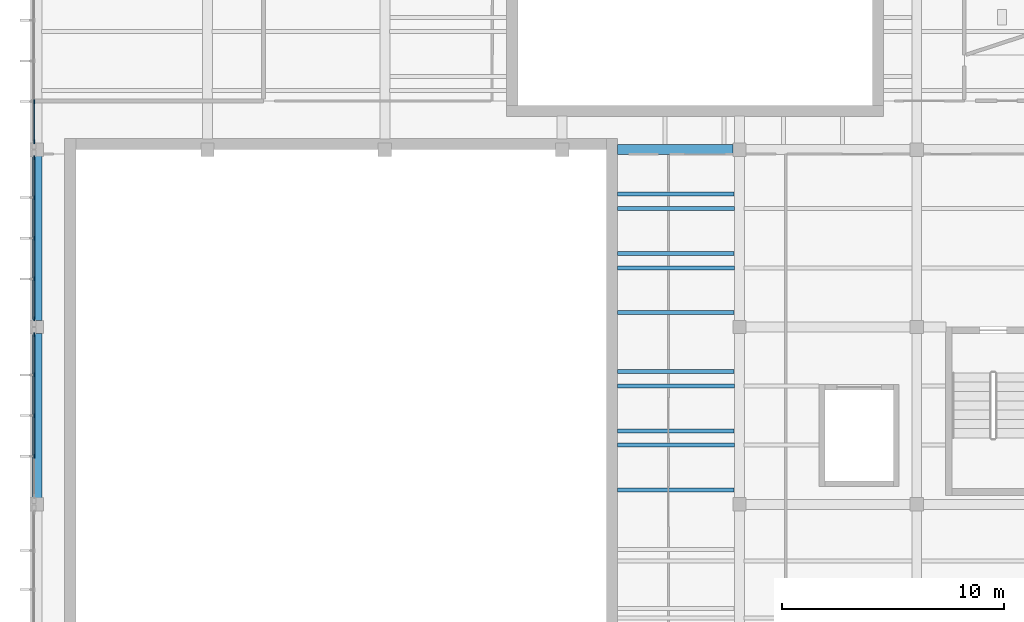
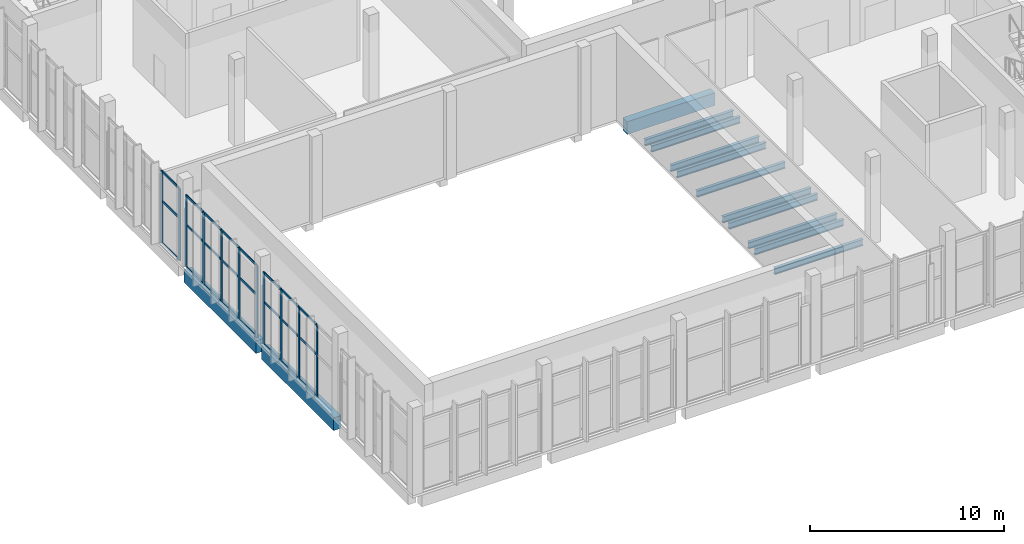
# One storey, part 12 of 87: 35 members, 13 beams, 3 elements without a shape of their own.
"""IFC4 building model written with IfcOpenShell, lengths in metres."""

import ifcopenshell
import ifcopenshell.guid

model = None  # the IFC model being written
_history = None  # IfcOwnerHistory: only IFC2X3 demands one
_inside = {}  # id of a spatial element -> (the spatial element, [elements in it])
_under = {}  # id of a project, library or spatial element -> (it, [spatial elements below it])
_declared = {}  # id of a project -> (the project, [libraries it declares])
_typed = {}  # id of a type object -> (the type object, [elements of that type])
_made_of = {}  # id of a material, layer set ... -> (it, [elements and type objects made of it])


def new_model(schema):
    """Start an empty IFC model of exactly this schema.

    Asked for "IFC4X3", IfcOpenShell would pick the latest addendum, in which some entities
    have other attributes; the version numbers below select the first issue.
    IFC2X3 requires an IfcOwnerHistory on every rooted entity: one is made here for all.
    """
    global model, _history
    if schema == "IFC4X3":
        model = ifcopenshell.file(schema_version=(4, 3, 0, 0))
    else:
        model = ifcopenshell.file(schema=schema)
    _inside.clear()
    _under.clear()
    _declared.clear()
    _typed.clear()
    _made_of.clear()
    _history = None
    if model.schema == "IFC2X3":
        org = make("IfcOrganization", Name="unknown")
        user = make(
            "IfcPersonAndOrganization",
            ThePerson=make("IfcPerson", FamilyName="unknown"),
            TheOrganization=org,
        )
        app = make(
            "IfcApplication",
            ApplicationDeveloper=org,
            Version="unknown",
            ApplicationFullName="unknown",
            ApplicationIdentifier="unknown",
        )
        _history = make(
            "IfcOwnerHistory",
            OwningUser=user,
            OwningApplication=app,
            ChangeAction="ADDED",
            CreationDate=0,
        )
    return model


def make(cls, **values):
    """One entity of the class cls with the attributes given. An attribute that is None is left unset."""
    return model.create_entity(
        cls, **{name: value for name, value in values.items() if value is not None}
    )


def rooted(cls, **values):
    """An entity with a GlobalId (a new one), such as an element, a storey or a relation."""
    return make(cls, GlobalId=ifcopenshell.guid.new(), OwnerHistory=_history, **values)


def si_unit(unit_type, name, prefix=None):
    """IfcSIUnit, for example si_unit("LENGTHUNIT", "METRE", prefix="MILLI")."""
    return make("IfcSIUnit", UnitType=unit_type, Prefix=prefix, Name=name)


def assignment(units):
    """IfcUnitAssignment: the units of a project."""
    return None if units is None else make("IfcUnitAssignment", Units=units)


def point(xyz):
    """IfcCartesianPoint."""
    return None if xyz is None else make("IfcCartesianPoint", Coordinates=xyz)


def direction(xyz):
    """IfcDirection."""
    return None if xyz is None else make("IfcDirection", DirectionRatios=xyz)


def frame(location, z_axis=None, x_axis=None):
    """IfcAxis2Placement3D, a coordinate frame: its origin and axes. An axis left out is left unset."""
    return make(
        "IfcAxis2Placement3D",
        Location=point(location),
        Axis=direction(z_axis),
        RefDirection=direction(x_axis),
    )


def frame_2d(location, x_axis=None):
    """IfcAxis2Placement2D, a coordinate frame in the plane: its origin and x axis."""
    return make(
        "IfcAxis2Placement2D", Location=point(location), RefDirection=direction(x_axis)
    )


def origin():
    """The frame at (0, 0, 0) with its axes left unset."""
    return frame((0.0, 0.0, 0.0))


def origin_2d():
    """The frame at (0, 0) in the plane with its x axis left unset."""
    return frame_2d((0.0, 0.0))


def place(relative_to, where):
    """IfcLocalPlacement: puts the frame where relative to a parent placement (None: the world)."""
    return make(
        "IfcLocalPlacement", PlacementRelTo=relative_to, RelativePlacement=where
    )


def context(
    kind, dimensions, precision=None, world=None, true_north=None, identifier=None
):
    """IfcGeometricRepresentationContext, for example the 3D "Model" context."""
    return make(
        "IfcGeometricRepresentationContext",
        ContextIdentifier=identifier,
        ContextType=kind,
        CoordinateSpaceDimension=dimensions,
        Precision=precision,
        WorldCoordinateSystem=world,
        TrueNorth=true_north,
    )


def subcontext(parent, identifier, kind, view, scale=None):
    """IfcGeometricRepresentationSubContext, for example "Body" below "Model"."""
    return make(
        "IfcGeometricRepresentationSubContext",
        ContextIdentifier=identifier,
        ContextType=kind,
        ParentContext=parent,
        TargetScale=scale,
        TargetView=view,
    )


def project(units=None, contexts=None):
    """IfcProject with its units and contexts."""
    return rooted(
        "IfcProject",
        Name="project",
        RepresentationContexts=contexts,
        UnitsInContext=assignment(units),
    )


def spatial(cls, under=None, at=None, **own):
    """A site, building, storey or space (cls), placed at a placement, below another one or the project."""
    s = rooted(cls, ObjectPlacement=at, **own)
    if under is not None:
        _under.setdefault(under.id(), (under, []))[1].append(s)
    return s


def profile(cls, at=None, kind="AREA", **sizes):
    """A parametric profile (cls). Its sizes go by their IFC names, for example OverallWidth=200.0."""
    return make(cls, ProfileType=kind, Position=at, **sizes)


def rectangle(**sizes):
    """IfcRectangleProfileDef."""
    return profile("IfcRectangleProfileDef", **sizes)


def i_section(**sizes):
    """IfcIShapeProfileDef."""
    return profile("IfcIShapeProfileDef", **sizes)


def extrude(swept, where, along, depth):
    """IfcExtrudedAreaSolid: the profile swept, set in the frame where, extruded along a direction by depth."""
    return make(
        "IfcExtrudedAreaSolid",
        SweptArea=swept,
        Position=where,
        ExtrudedDirection=direction(along),
        Depth=depth,
    )


def shape(context_of_items, identifier, shape_type, items):
    """IfcShapeRepresentation: the items that make up one representation, for example the "Body"."""
    return make(
        "IfcShapeRepresentation",
        ContextOfItems=context_of_items,
        RepresentationIdentifier=identifier,
        RepresentationType=shape_type,
        Items=items,
    )


def material(Name=None, Category=None):
    """IfcMaterial."""
    return make("IfcMaterial", Name=Name, Category=Category)


def layer(
    of_material, thickness, ventilated=None, Name=None, Category=None, Priority=None
):
    """IfcMaterialLayer: one layer of a wall or slab, of a material (None: an air gap)."""
    return make(
        "IfcMaterialLayer",
        Material=of_material,
        LayerThickness=thickness,
        IsVentilated=ventilated,
        Name=Name,
        Category=Category,
        Priority=Priority,
    )


def layer_set(layers, Name=None):
    """IfcMaterialLayerSet."""
    return make("IfcMaterialLayerSet", MaterialLayers=layers, LayerSetName=Name)


def material_profile(
    of_material, cross_section, Name=None, Category=None, Priority=None
):
    """IfcMaterialProfile: a cross section and its material."""
    return make(
        "IfcMaterialProfile",
        Name=Name,
        Material=of_material,
        Profile=cross_section,
        Priority=Priority,
        Category=Category,
    )


def profile_set(profiles, Name=None, composite=None):
    """IfcMaterialProfileSet."""
    return make(
        "IfcMaterialProfileSet",
        Name=Name,
        MaterialProfiles=profiles,
        CompositeProfile=composite,
    )


def made_of(thing, what):
    """Note that an element or type object is made of a material, layer set ...; save() writes the relation."""
    if what is not None:
        _made_of.setdefault(what.id(), (what, []))[1].append(thing)
    return thing


def type_object(cls, material=None, **own):
    """A type object (cls), such as IfcWallType, which elements share."""
    return made_of(rooted(cls, **own), material)


def element(
    cls,
    number,
    at=None,
    inside=None,
    cuts=None,
    type_object=None,
    material=None,
    context=None,
    identifier="Body",
    shape_type=None,
    held_by="IfcProductDefinitionShape",
    body=None,
    shapes=None,
    **own,
):
    """One element of the class cls, such as IfcWall. Its Tag is "e" and its number.

    at: its placement. inside: the storey or other place that contains it. cuts: it is an
    opening in that element (IfcRelVoidsElement). A single representation is given by context,
    identifier, shape_type and body (its items); several are given by shapes. held_by: the class
    of the entity that holds the representations. save() writes the other relations.
    """
    e = rooted(cls, Tag="e%d" % number, ObjectPlacement=at, **own)
    if body is not None:
        shapes = [shape(context, identifier, shape_type, body)]
    if shapes is not None:
        e.Representation = make(held_by, Representations=shapes)
    if inside is not None:
        _inside.setdefault(inside.id(), (inside, []))[1].append(e)
    if cuts is not None:
        rooted(
            "IfcRelVoidsElement", RelatingBuildingElement=cuts, RelatedOpeningElement=e
        )
    if type_object is not None:
        _typed.setdefault(type_object.id(), (type_object, []))[1].append(e)
    return made_of(e, material)


def aggregate(whole, parts):
    """IfcRelAggregates: a whole, such as a stair, and the parts it consists of."""
    return rooted("IfcRelAggregates", RelatingObject=whole, RelatedObjects=parts)


def save(model, path):
    """Write the relations noted so far, then the file.

    IfcRelAggregates (storeys below a building ...), IfcRelContainedInSpatialStructure (elements
    in a storey), IfcRelDefinesByType, IfcRelAssociatesMaterial and IfcRelDeclares: one each for
    every whole, place, type object, material and project.
    """
    for whole, parts in _under.values():
        aggregate(whole, parts)
    for where, things in _inside.values():
        rooted(
            "IfcRelContainedInSpatialStructure",
            RelatedElements=things,
            RelatingStructure=where,
        )
    for kind, things in _typed.values():
        rooted("IfcRelDefinesByType", RelatedObjects=things, RelatingType=kind)
    for what, things in _made_of.values():
        rooted("IfcRelAssociatesMaterial", RelatedObjects=things, RelatingMaterial=what)
    for by, libraries in _declared.values():
        rooted("IfcRelDeclares", RelatingContext=by, RelatedDefinitions=libraries)
    model.write(path)


model = new_model("IFC4")

# Units and contexts
model_context = context("Model", 3, precision=1e-05, world=origin(), true_north=direction((0.0, 1.0)))
body_context = subcontext(model_context, "Body", "Model", "MODEL_VIEW")
ifc_project = project(units=[si_unit("LENGTHUNIT", "METRE"), si_unit("AREAUNIT", "SQUARE_METRE"), si_unit("VOLUMEUNIT", "CUBIC_METRE"), si_unit("PLANEANGLEUNIT", "RADIAN"), si_unit("MASSUNIT", "GRAM", prefix="KILO")], contexts=[model_context])

# Site, building, storey
site_placement = place(None, origin())
site = spatial("IfcSite", under=ifc_project, at=site_placement, CompositionType="ELEMENT")
building_placement = place(site_placement, origin())
building = spatial("IfcBuilding", under=site, at=building_placement, Name="Lunette Opera House", CompositionType="ELEMENT")
storey_placement = place(building_placement, frame((0.0, 0.0, 11.5)))
storey = spatial("IfcBuildingStorey", under=building, at=storey_placement, Name="L02", CompositionType="ELEMENT", Elevation=11.5)

# Curtain wall, members
ifc_material_1 = material(Name="Aluminium", Category="aluminium")
ifc_layer = layer(ifc_material_1, 0.179931640625)
ifc_layer_set = layer_set([ifc_layer], Name="Aluminium")
curtain_wall_type = type_object("IfcCurtainWallType", Name="SUN FACE CURTAIN WALL", PredefinedType="NOTDEFINED", material=ifc_layer_set)
curtain_wall_1_placement = place(storey_placement, origin())
curtain_wall_1 = element("IfcCurtainWall", 1, at=curtain_wall_1_placement, inside=storey, type_object=curtain_wall_type, Name="Sun Face Curtain Wall F15 L02", PredefinedType="NOTDEFINED")
ifc_material_2 = material(Name="Aluminium", Category="aluminium")
ifc_material_profile_1 = material_profile(ifc_material_2, rectangle(XDim=0.06005859375, YDim=0.179931640625, at=origin_2d()), Name="MULLION 60 X 180")
ifc_profile_set_1 = profile_set([ifc_material_profile_1], Name="Aluminium")
member_type_1 = type_object("IfcMemberType", Name="MULLION 60 X 180", PredefinedType="MULLION", material=ifc_profile_set_1)
member_1_placement = place(storey_placement, frame((8.181884765625, 90.1650390625, 0.0), z_axis=(0.0, 0.0, 1.0), x_axis=(1.0, 0.0, 0.0)))
member_1 = element("IfcMember", 2, at=member_1_placement, type_object=member_type_1, Name="RW-X2031 mullion 4", PredefinedType="MULLION", context=body_context, shape_type="SweptSolid", body=[
    extrude(rectangle(XDim=0.06005859375, YDim=0.179931640625, at=origin_2d()), origin(), (0.0, 0.0, 1.0), 4.550048828125),
])
member_2_placement = place(storey_placement, frame((8.181884765625, 88.360107421875, 0.0), z_axis=(0.0, 0.0, 1.0), x_axis=(1.0, 0.0, 0.0)))
member_2 = element("IfcMember", 3, at=member_2_placement, type_object=member_type_1, Name="RW-X2031 mullion 5", PredefinedType="MULLION", context=body_context, shape_type="SweptSolid", body=[
    extrude(rectangle(XDim=0.06005859375, YDim=0.179931640625, at=origin_2d()), origin(), (0.0, 0.0, 1.0), 4.550048828125),
])

curtain_wall_2_placement = place(storey_placement, origin())
curtain_wall_2 = element("IfcCurtainWall", 4, at=curtain_wall_2_placement, inside=storey, type_object=curtain_wall_type, Name="Sun Face Curtain Wall F16 L02", PredefinedType="NOTDEFINED")
member_3_placement = place(storey_placement, frame((8.181884765625, 87.639892578125, 0.0), z_axis=(0.0, 0.0, 1.0), x_axis=(1.0, 0.0, 0.0)))
member_3 = element("IfcMember", 5, at=member_3_placement, type_object=member_type_1, Name="RW-X2032 mullion 1", PredefinedType="MULLION", context=body_context, shape_type="SweptSolid", body=[
    extrude(rectangle(XDim=0.06005859375, YDim=0.179931640625, at=origin_2d()), origin(), (0.0, 0.0, 1.0), 4.550048828125),
])
member_4_placement = place(storey_placement, frame((8.181884765625, 85.8349609375, 0.0), z_axis=(0.0, 0.0, 1.0), x_axis=(1.0, 0.0, 0.0)))
member_4 = element("IfcMember", 6, at=member_4_placement, type_object=member_type_1, Name="RW-X2032 mullion 2", PredefinedType="MULLION", context=body_context, shape_type="SweptSolid", body=[
    extrude(rectangle(XDim=0.06005859375, YDim=0.179931640625, at=origin_2d()), origin(), (0.0, 0.0, 1.0), 4.550048828125),
])
member_5_placement = place(storey_placement, frame((8.181884765625, 84.0, 0.0), z_axis=(0.0, 0.0, 1.0), x_axis=(1.0, 0.0, 0.0)))
member_5 = element("IfcMember", 7, at=member_5_placement, type_object=member_type_1, Name="RW-X2032 mullion 3", PredefinedType="MULLION", context=body_context, shape_type="SweptSolid", body=[
    extrude(rectangle(XDim=0.06005859375, YDim=0.179931640625, at=origin_2d()), origin(), (0.0, 0.0, 1.0), 4.550048828125),
])
member_6_placement = place(storey_placement, frame((8.181884765625, 82.1650390625, 0.0), z_axis=(0.0, 0.0, 1.0), x_axis=(1.0, 0.0, 0.0)))
member_6 = element("IfcMember", 8, at=member_6_placement, type_object=member_type_1, Name="RW-X2032 mullion 4", PredefinedType="MULLION", context=body_context, shape_type="SweptSolid", body=[
    extrude(rectangle(XDim=0.06005859375, YDim=0.179931640625, at=origin_2d()), origin(), (0.0, 0.0, 1.0), 4.550048828125),
])
member_7_placement = place(storey_placement, frame((8.181884765625, 80.360107421875, 0.0), z_axis=(0.0, 0.0, 1.0), x_axis=(1.0, 0.0, 0.0)))
member_7 = element("IfcMember", 9, at=member_7_placement, type_object=member_type_1, Name="RW-X2032 mullion 5", PredefinedType="MULLION", context=body_context, shape_type="SweptSolid", body=[
    extrude(rectangle(XDim=0.06005859375, YDim=0.179931640625, at=origin_2d()), origin(), (0.0, 0.0, 1.0), 4.550048828125),
])

curtain_wall_3_placement = place(storey_placement, origin())
curtain_wall_3 = element("IfcCurtainWall", 10, at=curtain_wall_3_placement, inside=storey, type_object=curtain_wall_type, Name="Sun Face Curtain Wall F17 L02", PredefinedType="NOTDEFINED")
member_8_placement = place(storey_placement, frame((8.181884765625, 79.639892578125, 0.0), z_axis=(0.0, 0.0, 1.0), x_axis=(1.0, 0.0, 0.0)))
member_8 = element("IfcMember", 11, at=member_8_placement, type_object=member_type_1, Name="RW-X2033 mullion 1", PredefinedType="MULLION", context=body_context, shape_type="SweptSolid", body=[
    extrude(rectangle(XDim=0.06005859375, YDim=0.179931640625, at=origin_2d()), origin(), (0.0, 0.0, 1.0), 4.550048828125),
])
member_9_placement = place(storey_placement, frame((8.181884765625, 77.8349609375, 0.0), z_axis=(0.0, 0.0, 1.0), x_axis=(1.0, 0.0, 0.0)))
member_9 = element("IfcMember", 12, at=member_9_placement, type_object=member_type_1, Name="RW-X2033 mullion 2", PredefinedType="MULLION", context=body_context, shape_type="SweptSolid", body=[
    extrude(rectangle(XDim=0.06005859375, YDim=0.179931640625, at=origin_2d()), origin(), (0.0, 0.0, 1.0), 4.550048828125),
])
member_10_placement = place(storey_placement, frame((8.181884765625, 76.0, 0.0), z_axis=(0.0, 0.0, 1.0), x_axis=(1.0, 0.0, 0.0)))
member_10 = element("IfcMember", 13, at=member_10_placement, type_object=member_type_1, Name="RW-X2033 mullion 3", PredefinedType="MULLION", context=body_context, shape_type="SweptSolid", body=[
    extrude(rectangle(XDim=0.06005859375, YDim=0.179931640625, at=origin_2d()), origin(), (0.0, 0.0, 1.0), 4.550048828125),
])
member_11_placement = place(storey_placement, frame((8.181884765625, 74.1650390625, 0.0), z_axis=(0.0, 0.0, 1.0), x_axis=(1.0, 0.0, 0.0)))
member_11 = element("IfcMember", 14, at=member_11_placement, type_object=member_type_1, Name="RW-X2033 mullion 4", PredefinedType="MULLION", context=body_context, shape_type="SweptSolid", body=[
    extrude(rectangle(XDim=0.06005859375, YDim=0.179931640625, at=origin_2d()), origin(), (0.0, 0.0, 1.0), 4.550048828125),
])

# Beams
ifc_material_3 = material(Name="Concrete C35/45", Category="concrete")
ifc_material_profile_2 = material_profile(ifc_material_3, rectangle(XDim=0.449951171875, YDim=0.800048828125, at=origin_2d()), Name="RC BEAM 450X800")
ifc_profile_set_2 = profile_set([ifc_material_profile_2], Name="Concrete C35/45")
beam_type_1 = type_object("IfcBeamType", Name="RC BEAM 450X800", PredefinedType="BEAM", material=ifc_profile_set_2)
for number, where, z_axis, x_axis, name in (
    (15, (8.300048828125, 72.2900390625, -0.550048828125), (0.0, 1.0, 0.0), (-1.0, 0.0, 0.0), "beam-RW-L02-L02-GY01"),
    (16, (8.300048828125, 80.2900390625, -0.550048828125), (0.0, 1.0, 0.0), (-1.0, 0.0, 0.0), "beam-RW-L02-L02-GY02"),
):
    element("IfcBeam", number, at=place(storey_placement, frame(where, z_axis=z_axis, x_axis=x_axis)), inside=storey, type_object=beam_type_1, Name=name, PredefinedType="BEAM", context=body_context, shape_type="SweptSolid", body=[
        extrude(rectangle(XDim=0.449951171875, YDim=0.800048828125, at=origin_2d()), origin(), (0.0, 0.0, 1.0), 7.419921875),
    ])
beam_placement = place(storey_placement, frame((34.489990234375, 88.0, -0.550048828125), z_axis=(1.0, 0.0, 0.0), x_axis=(0.0, 1.0, 0.0)))
element("IfcBeam", 17, at=beam_placement, inside=storey, type_object=beam_type_1, Name="beam-RW-L02-L02-GX33", PredefinedType="BEAM", context=body_context, shape_type="SweptSolid", body=[
    extrude(rectangle(XDim=0.449951171875, YDim=0.800048828125, at=origin_2d()), origin(), (0.0, 0.0, 1.0), 5.219970703125),
])
ifc_material_4 = material(Name="Steel S355", Category="steel")
ifc_material_profile_3 = material_profile(ifc_material_4, i_section(OverallWidth=0.179931640625, OverallDepth=0.39990234375, WebThickness=0.008544921875, FlangeThickness=0.013427734375, FilletRadius=0.02099609375, at=origin_2d()), Name="IPE 400")
ifc_profile_set_3 = profile_set([ifc_material_profile_3], Name="Steel S355")
beam_type_2 = type_object("IfcBeamType", Name="STEEL BEAM IPE 400", PredefinedType="BEAM", material=ifc_profile_set_3)
for number, where, z_axis, x_axis, name in (
    (18, (34.5, 74.6669921875, -0.35009765625), (1.0, 0.0, 0.0), (0.0, 1.0, 0.0), "beam-RW-L02-L02-SX311-01"),
    (19, (34.5, 77.3330078125, -0.35009765625), (1.0, 0.0, 0.0), (0.0, 1.0, 0.0), "beam-RW-L02-L02-SX312-01"),
    (20, (34.5, 82.6669921875, -0.35009765625), (1.0, 0.0, 0.0), (0.0, 1.0, 0.0), "beam-RW-L02-L02-SX321-01"),
    (21, (34.5, 85.3330078125, -0.35009765625), (1.0, 0.0, 0.0), (0.0, 1.0, 0.0), "beam-RW-L02-L02-SX322-01"),
):
    element("IfcBeam", number, at=place(storey_placement, frame(where, z_axis=z_axis, x_axis=x_axis)), inside=storey, type_object=beam_type_2, Name=name, PredefinedType="BEAM", context=body_context, shape_type="SweptSolid", body=[
        extrude(i_section(OverallWidth=0.179931640625, OverallDepth=0.39990234375, WebThickness=0.008544921875, FlangeThickness=0.013427734375, FilletRadius=0.02099609375, at=origin_2d()), origin(), (0.0, 0.0, 1.0), 5.284912109375),
    ])
for number, where, z_axis, x_axis, name in (
    (22, (34.5, 72.639892578125, -0.35009765625), (1.0, 0.0, 0.0), (0.0, 1.0, 0.0), "beam-RW-L02-L02-RJE10662"),
    (23, (34.5, 75.31005859375, -0.35009765625), (1.0, 0.0, 0.0), (0.0, 1.0, 0.0), "beam-RW-L02-L02-RJE10663"),
    (24, (34.5, 77.97998046875, -0.35009765625), (1.0, 0.0, 0.0), (0.0, 1.0, 0.0), "beam-RW-L02-L02-RJE10664"),
    (25, (34.5, 80.64990234375, -0.35009765625), (1.0, 0.0, 0.0), (0.0, 1.0, 0.0), "beam-RW-L02-L02-RJE10665"),
    (26, (34.5, 83.320068359375, -0.35009765625), (1.0, 0.0, 0.0), (0.0, 1.0, 0.0), "beam-RW-L02-L02-RJE10666"),
    (27, (34.5, 85.989990234375, -0.35009765625), (1.0, 0.0, 0.0), (0.0, 1.0, 0.0), "beam-RW-L02-L02-RJE10667"),
):
    element("IfcBeam", number, at=place(storey_placement, frame(where, z_axis=z_axis, x_axis=x_axis)), inside=storey, type_object=beam_type_2, Name=name, PredefinedType="BEAM", context=body_context, shape_type="SweptSolid", body=[
        extrude(i_section(OverallWidth=0.179931640625, OverallDepth=0.39990234375, WebThickness=0.008544921875, FlangeThickness=0.013427734375, FilletRadius=0.02099609375, at=origin_2d()), origin(), (0.0, 0.0, 1.0), 5.264892578125),
    ])

# Member
ifc_material_5 = material(Name="Aluminium", Category="aluminium")
ifc_material_profile_4 = material_profile(ifc_material_5, rectangle(XDim=0.06005859375, YDim=0.139892578125, at=origin_2d()), Name="TRANSOM 60 X 140")
ifc_profile_set_4 = profile_set([ifc_material_profile_4], Name="Aluminium")
member_type_2 = type_object("IfcMemberType", Name="TRANSOM 60 X 140", PredefinedType="USERDEFINED", material=ifc_profile_set_4)
member_12_placement = place(storey_placement, frame((8.181884765625, 90.135009765625, 0.030029296875), z_axis=(0.0, -1.0, 0.0), x_axis=(1.0, 0.0, 0.0)))
member_12 = element("IfcMember", 28, at=member_12_placement, type_object=member_type_2, Name="RW-X2031 transom 4.1", ObjectType="TRANSOM", PredefinedType="USERDEFINED", context=body_context, shape_type="SweptSolid", body=[
    extrude(rectangle(XDim=0.06005859375, YDim=0.139892578125, at=origin_2d()), origin(), (0.0, 0.0, 1.0), 1.7451171875),
])

member_13_placement = place(storey_placement, frame((8.181884765625, 90.135009765625, 2.675048828125), z_axis=(0.0, -1.0, 0.0), x_axis=(1.0, 0.0, 0.0)))
member_13 = element("IfcMember", 29, at=member_13_placement, type_object=member_type_2, Name="RW-X2031 transom 4.2", ObjectType="TRANSOM", PredefinedType="USERDEFINED", context=body_context, shape_type="SweptSolid", body=[
    extrude(rectangle(XDim=0.06005859375, YDim=0.139892578125, at=origin_2d()), origin(), (0.0, 0.0, 1.0), 1.7451171875),
])

member_14_placement = place(storey_placement, frame((8.181884765625, 90.135009765625, 4.52001953125), z_axis=(0.0, -1.0, 0.0), x_axis=(1.0, 0.0, 0.0)))
member_14 = element("IfcMember", 30, at=member_14_placement, type_object=member_type_2, Name="RW-X2031 transom 4.3", ObjectType="TRANSOM", PredefinedType="USERDEFINED", context=body_context, shape_type="SweptSolid", body=[
    extrude(rectangle(XDim=0.06005859375, YDim=0.139892578125, at=origin_2d()), origin(), (0.0, 0.0, 1.0), 1.7451171875),
])

aggregate(curtain_wall_1, [member_1, member_2, member_12, member_13, member_14])

member_15_placement = place(storey_placement, frame((8.181884765625, 87.610107421875, 0.030029296875), z_axis=(0.0, -1.0, 0.0), x_axis=(1.0, 0.0, 0.0)))
member_15 = element("IfcMember", 31, at=member_15_placement, type_object=member_type_2, Name="RW-X2032 transom 1.1", ObjectType="TRANSOM", PredefinedType="USERDEFINED", context=body_context, shape_type="SweptSolid", body=[
    extrude(rectangle(XDim=0.06005859375, YDim=0.139892578125, at=origin_2d()), origin(), (0.0, 0.0, 1.0), 1.7451171875),
])

member_16_placement = place(storey_placement, frame((8.181884765625, 87.610107421875, 2.675048828125), z_axis=(0.0, -1.0, 0.0), x_axis=(1.0, 0.0, 0.0)))
member_16 = element("IfcMember", 32, at=member_16_placement, type_object=member_type_2, Name="RW-X2032 transom 1.2", ObjectType="TRANSOM", PredefinedType="USERDEFINED", context=body_context, shape_type="SweptSolid", body=[
    extrude(rectangle(XDim=0.06005859375, YDim=0.139892578125, at=origin_2d()), origin(), (0.0, 0.0, 1.0), 1.7451171875),
])

member_17_placement = place(storey_placement, frame((8.181884765625, 87.610107421875, 4.52001953125), z_axis=(0.0, -1.0, 0.0), x_axis=(1.0, 0.0, 0.0)))
member_17 = element("IfcMember", 33, at=member_17_placement, type_object=member_type_2, Name="RW-X2032 transom 1.3", ObjectType="TRANSOM", PredefinedType="USERDEFINED", context=body_context, shape_type="SweptSolid", body=[
    extrude(rectangle(XDim=0.06005859375, YDim=0.139892578125, at=origin_2d()), origin(), (0.0, 0.0, 1.0), 1.7451171875),
])

member_18_placement = place(storey_placement, frame((8.181884765625, 85.804931640625, 0.030029296875), z_axis=(0.0, -1.0, 0.0), x_axis=(1.0, 0.0, 0.0)))
member_18 = element("IfcMember", 34, at=member_18_placement, type_object=member_type_2, Name="RW-X2032 transom 2.1", ObjectType="TRANSOM", PredefinedType="USERDEFINED", context=body_context, shape_type="SweptSolid", body=[
    extrude(rectangle(XDim=0.06005859375, YDim=0.139892578125, at=origin_2d()), origin(), (0.0, 0.0, 1.0), 1.77490234375),
])

member_19_placement = place(storey_placement, frame((8.181884765625, 85.804931640625, 2.675048828125), z_axis=(0.0, -1.0, 0.0), x_axis=(1.0, 0.0, 0.0)))
member_19 = element("IfcMember", 35, at=member_19_placement, type_object=member_type_2, Name="RW-X2032 transom 2.2", ObjectType="TRANSOM", PredefinedType="USERDEFINED", context=body_context, shape_type="SweptSolid", body=[
    extrude(rectangle(XDim=0.06005859375, YDim=0.139892578125, at=origin_2d()), origin(), (0.0, 0.0, 1.0), 1.77490234375),
])

member_20_placement = place(storey_placement, frame((8.181884765625, 85.804931640625, 4.52001953125), z_axis=(0.0, -1.0, 0.0), x_axis=(1.0, 0.0, 0.0)))
member_20 = element("IfcMember", 36, at=member_20_placement, type_object=member_type_2, Name="RW-X2032 transom 2.3", ObjectType="TRANSOM", PredefinedType="USERDEFINED", context=body_context, shape_type="SweptSolid", body=[
    extrude(rectangle(XDim=0.06005859375, YDim=0.139892578125, at=origin_2d()), origin(), (0.0, 0.0, 1.0), 1.77490234375),
])

member_21_placement = place(storey_placement, frame((8.181884765625, 83.969970703125, 0.030029296875), z_axis=(0.0, -1.0, 0.0), x_axis=(1.0, 0.0, 0.0)))
member_21 = element("IfcMember", 37, at=member_21_placement, type_object=member_type_2, Name="RW-X2032 transom 3.1", ObjectType="TRANSOM", PredefinedType="USERDEFINED", context=body_context, shape_type="SweptSolid", body=[
    extrude(rectangle(XDim=0.06005859375, YDim=0.139892578125, at=origin_2d()), origin(), (0.0, 0.0, 1.0), 1.77490234375),
])

member_22_placement = place(storey_placement, frame((8.181884765625, 83.969970703125, 2.675048828125), z_axis=(0.0, -1.0, 0.0), x_axis=(1.0, 0.0, 0.0)))
member_22 = element("IfcMember", 38, at=member_22_placement, type_object=member_type_2, Name="RW-X2032 transom 3.2", ObjectType="TRANSOM", PredefinedType="USERDEFINED", context=body_context, shape_type="SweptSolid", body=[
    extrude(rectangle(XDim=0.06005859375, YDim=0.139892578125, at=origin_2d()), origin(), (0.0, 0.0, 1.0), 1.77490234375),
])

member_23_placement = place(storey_placement, frame((8.181884765625, 83.969970703125, 4.52001953125), z_axis=(0.0, -1.0, 0.0), x_axis=(1.0, 0.0, 0.0)))
member_23 = element("IfcMember", 39, at=member_23_placement, type_object=member_type_2, Name="RW-X2032 transom 3.3", ObjectType="TRANSOM", PredefinedType="USERDEFINED", context=body_context, shape_type="SweptSolid", body=[
    extrude(rectangle(XDim=0.06005859375, YDim=0.139892578125, at=origin_2d()), origin(), (0.0, 0.0, 1.0), 1.77490234375),
])

member_24_placement = place(storey_placement, frame((8.181884765625, 82.135009765625, 0.030029296875), z_axis=(0.0, -1.0, 0.0), x_axis=(1.0, 0.0, 0.0)))
member_24 = element("IfcMember", 40, at=member_24_placement, type_object=member_type_2, Name="RW-X2032 transom 4.1", ObjectType="TRANSOM", PredefinedType="USERDEFINED", context=body_context, shape_type="SweptSolid", body=[
    extrude(rectangle(XDim=0.06005859375, YDim=0.139892578125, at=origin_2d()), origin(), (0.0, 0.0, 1.0), 1.7451171875),
])

member_25_placement = place(storey_placement, frame((8.181884765625, 82.135009765625, 2.675048828125), z_axis=(0.0, -1.0, 0.0), x_axis=(1.0, 0.0, 0.0)))
member_25 = element("IfcMember", 41, at=member_25_placement, type_object=member_type_2, Name="RW-X2032 transom 4.2", ObjectType="TRANSOM", PredefinedType="USERDEFINED", context=body_context, shape_type="SweptSolid", body=[
    extrude(rectangle(XDim=0.06005859375, YDim=0.139892578125, at=origin_2d()), origin(), (0.0, 0.0, 1.0), 1.7451171875),
])

member_26_placement = place(storey_placement, frame((8.181884765625, 82.135009765625, 4.52001953125), z_axis=(0.0, -1.0, 0.0), x_axis=(1.0, 0.0, 0.0)))
member_26 = element("IfcMember", 42, at=member_26_placement, type_object=member_type_2, Name="RW-X2032 transom 4.3", ObjectType="TRANSOM", PredefinedType="USERDEFINED", context=body_context, shape_type="SweptSolid", body=[
    extrude(rectangle(XDim=0.06005859375, YDim=0.139892578125, at=origin_2d()), origin(), (0.0, 0.0, 1.0), 1.7451171875),
])

aggregate(curtain_wall_2, [member_3, member_4, member_5, member_6, member_7, member_15, member_16, member_17, member_18, member_19, member_20, member_21, member_22, member_23, member_24, member_25, member_26])

member_27_placement = place(storey_placement, frame((8.181884765625, 79.610107421875, 0.030029296875), z_axis=(0.0, -1.0, 0.0), x_axis=(1.0, 0.0, 0.0)))
member_27 = element("IfcMember", 43, at=member_27_placement, type_object=member_type_2, Name="RW-X2033 transom 1.1", ObjectType="TRANSOM", PredefinedType="USERDEFINED", context=body_context, shape_type="SweptSolid", body=[
    extrude(rectangle(XDim=0.06005859375, YDim=0.139892578125, at=origin_2d()), origin(), (0.0, 0.0, 1.0), 1.7451171875),
])

member_28_placement = place(storey_placement, frame((8.181884765625, 79.610107421875, 2.675048828125), z_axis=(0.0, -1.0, 0.0), x_axis=(1.0, 0.0, 0.0)))
member_28 = element("IfcMember", 44, at=member_28_placement, type_object=member_type_2, Name="RW-X2033 transom 1.2", ObjectType="TRANSOM", PredefinedType="USERDEFINED", context=body_context, shape_type="SweptSolid", body=[
    extrude(rectangle(XDim=0.06005859375, YDim=0.139892578125, at=origin_2d()), origin(), (0.0, 0.0, 1.0), 1.7451171875),
])

member_29_placement = place(storey_placement, frame((8.181884765625, 79.610107421875, 4.52001953125), z_axis=(0.0, -1.0, 0.0), x_axis=(1.0, 0.0, 0.0)))
member_29 = element("IfcMember", 45, at=member_29_placement, type_object=member_type_2, Name="RW-X2033 transom 1.3", ObjectType="TRANSOM", PredefinedType="USERDEFINED", context=body_context, shape_type="SweptSolid", body=[
    extrude(rectangle(XDim=0.06005859375, YDim=0.139892578125, at=origin_2d()), origin(), (0.0, 0.0, 1.0), 1.7451171875),
])

member_30_placement = place(storey_placement, frame((8.181884765625, 77.804931640625, 0.030029296875), z_axis=(0.0, -1.0, 0.0), x_axis=(1.0, 0.0, 0.0)))
member_30 = element("IfcMember", 46, at=member_30_placement, type_object=member_type_2, Name="RW-X2033 transom 2.1", ObjectType="TRANSOM", PredefinedType="USERDEFINED", context=body_context, shape_type="SweptSolid", body=[
    extrude(rectangle(XDim=0.06005859375, YDim=0.139892578125, at=origin_2d()), origin(), (0.0, 0.0, 1.0), 1.77490234375),
])

member_31_placement = place(storey_placement, frame((8.181884765625, 77.804931640625, 2.675048828125), z_axis=(0.0, -1.0, 0.0), x_axis=(1.0, 0.0, 0.0)))
member_31 = element("IfcMember", 47, at=member_31_placement, type_object=member_type_2, Name="RW-X2033 transom 2.2", ObjectType="TRANSOM", PredefinedType="USERDEFINED", context=body_context, shape_type="SweptSolid", body=[
    extrude(rectangle(XDim=0.06005859375, YDim=0.139892578125, at=origin_2d()), origin(), (0.0, 0.0, 1.0), 1.77490234375),
])

member_32_placement = place(storey_placement, frame((8.181884765625, 77.804931640625, 4.52001953125), z_axis=(0.0, -1.0, 0.0), x_axis=(1.0, 0.0, 0.0)))
member_32 = element("IfcMember", 48, at=member_32_placement, type_object=member_type_2, Name="RW-X2033 transom 2.3", ObjectType="TRANSOM", PredefinedType="USERDEFINED", context=body_context, shape_type="SweptSolid", body=[
    extrude(rectangle(XDim=0.06005859375, YDim=0.139892578125, at=origin_2d()), origin(), (0.0, 0.0, 1.0), 1.77490234375),
])

member_33_placement = place(storey_placement, frame((8.181884765625, 75.969970703125, 0.030029296875), z_axis=(0.0, -1.0, 0.0), x_axis=(1.0, 0.0, 0.0)))
member_33 = element("IfcMember", 49, at=member_33_placement, type_object=member_type_2, Name="RW-X2033 transom 3.1", ObjectType="TRANSOM", PredefinedType="USERDEFINED", context=body_context, shape_type="SweptSolid", body=[
    extrude(rectangle(XDim=0.06005859375, YDim=0.139892578125, at=origin_2d()), origin(), (0.0, 0.0, 1.0), 1.77490234375),
])

member_34_placement = place(storey_placement, frame((8.181884765625, 75.969970703125, 2.675048828125), z_axis=(0.0, -1.0, 0.0), x_axis=(1.0, 0.0, 0.0)))
member_34 = element("IfcMember", 50, at=member_34_placement, type_object=member_type_2, Name="RW-X2033 transom 3.2", ObjectType="TRANSOM", PredefinedType="USERDEFINED", context=body_context, shape_type="SweptSolid", body=[
    extrude(rectangle(XDim=0.06005859375, YDim=0.139892578125, at=origin_2d()), origin(), (0.0, 0.0, 1.0), 1.77490234375),
])

member_35_placement = place(storey_placement, frame((8.181884765625, 75.969970703125, 4.52001953125), z_axis=(0.0, -1.0, 0.0), x_axis=(1.0, 0.0, 0.0)))
member_35 = element("IfcMember", 51, at=member_35_placement, type_object=member_type_2, Name="RW-X2033 transom 3.3", ObjectType="TRANSOM", PredefinedType="USERDEFINED", context=body_context, shape_type="SweptSolid", body=[
    extrude(rectangle(XDim=0.06005859375, YDim=0.139892578125, at=origin_2d()), origin(), (0.0, 0.0, 1.0), 1.77490234375),
])

aggregate(curtain_wall_3, [member_8, member_9, member_10, member_11, member_27, member_28, member_29, member_30, member_31, member_32, member_33, member_34, member_35])

save(model, "model.ifc")
